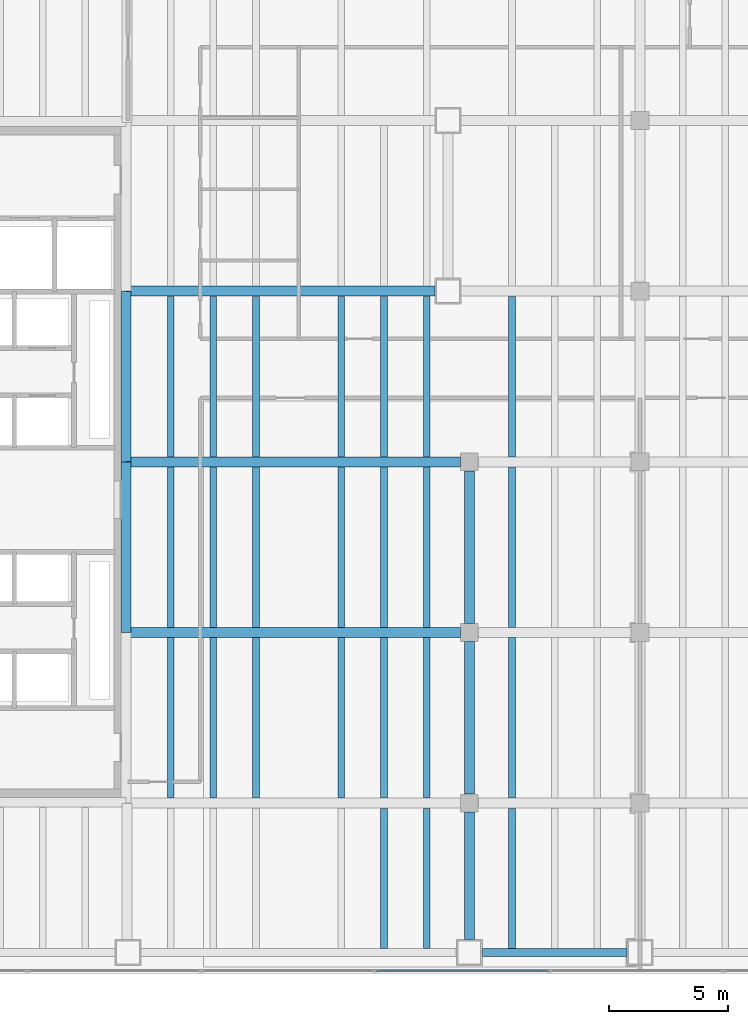
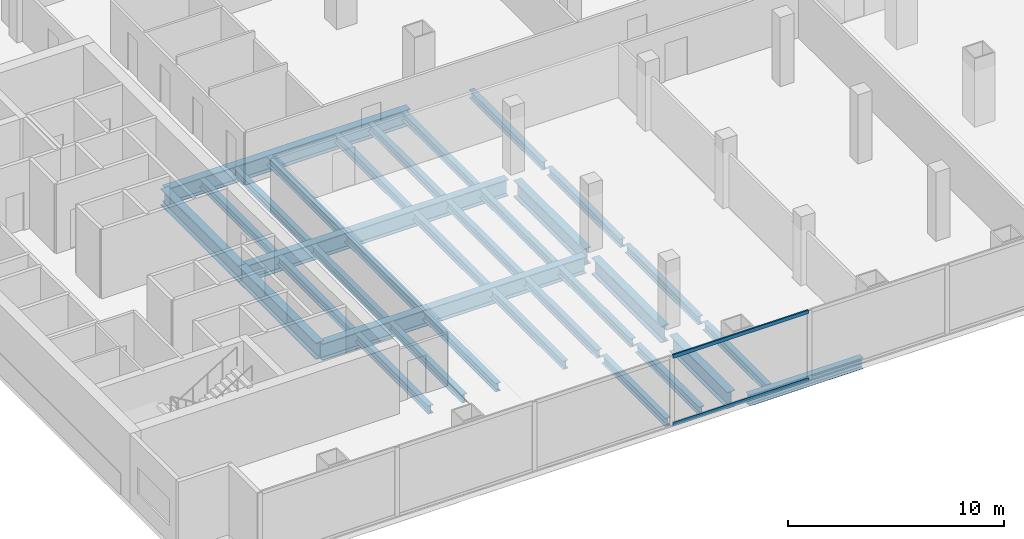
# One storey, part 4 of 32: 33 beams, 2 members, 1 element without a shape of its own.
"""IFC4 building model written with IfcOpenShell, lengths in metres."""

from ifc_helpers import new_model, si_unit, direction, frame, origin, origin_2d, place, context, subcontext, project, spatial, hollow_rectangle, i_section, extrude, material, material_profile, profile_set, type_object, element, aggregate, save


model = new_model("IFC4")

# Units and contexts
model_context = context("Model", 3, precision=1e-05, world=origin(), true_north=direction((0.0, 1.0)))
body_context = subcontext(model_context, "Body", "Model", "MODEL_VIEW")
ifc_project = project(units=[si_unit("LENGTHUNIT", "METRE"), si_unit("AREAUNIT", "SQUARE_METRE"), si_unit("VOLUMEUNIT", "CUBIC_METRE"), si_unit("PLANEANGLEUNIT", "RADIAN"), si_unit("MASSUNIT", "GRAM", prefix="KILO")], contexts=[model_context])

# Site, building, storey
site_placement = place(None, origin())
site = spatial("IfcSite", under=ifc_project, at=site_placement, CompositionType="ELEMENT")
building_placement = place(site_placement, origin())
building = spatial("IfcBuilding", under=site, at=building_placement, Name="Cobrela Telecom Tower", CompositionType="ELEMENT")
storey_placement = place(building_placement, frame((0.0, 0.0, 22.050048828125)))
storey = spatial("IfcBuildingStorey", under=building, at=storey_placement, Name="L05", CompositionType="ELEMENT", Elevation=22.050048828125)

# Beams
ifc_material_1 = material(Name="Steel ASTM A992 Grade 50", Category="steel")
ifc_material_profile_1 = material_profile(ifc_material_1, i_section(OverallWidth=0.4189453125, OverallDepth=0.927001953125, WebThickness=0.019287109375, FlangeThickness=0.031982421875, FilletRadius=0.02392578125, at=origin_2d()), Name="W36X231")
ifc_profile_set_1 = profile_set([ifc_material_profile_1], Name="Steel ASTM A992 Grade 50")
beam_type_1 = type_object("IfcBeamType", Name="BM-GIRD-02", PredefinedType="USERDEFINED", material=ifc_profile_set_1)
for number, where, z_axis, x_axis, name in (
    (1, (14.324951171875, 14.39990234375, -0.753662109375), (1.0, 0.0, 0.0), (0.0, 1.0, 0.0), "L05 Primary Girder X20"),
    (2, (14.324951171875, 21.60009765625, -0.753662109375), (1.0, 0.0, 0.0), (0.0, 1.0, 0.0), "L05 Primary Girder X29"),
):
    element("IfcBeam", number, at=place(storey_placement, frame(where, z_axis=z_axis, x_axis=x_axis)), inside=storey, type_object=beam_type_1, Name=name, ObjectType="GIRDER", PredefinedType="USERDEFINED", context=body_context, shape_type="SweptSolid", body=[
        extrude(i_section(OverallWidth=0.4189453125, OverallDepth=0.927001953125, WebThickness=0.019287109375, FlangeThickness=0.031982421875, FilletRadius=0.02392578125, at=origin_2d()), origin(), (0.0, 0.0, 1.0), 14.094970703125),
    ])
beam_1_placement = place(storey_placement, frame((14.324951171875, 28.800048828125, -0.753662109375), z_axis=(1.0, 0.0, 0.0), x_axis=(0.0, 1.0, 0.0)))
element("IfcBeam", 3, at=beam_1_placement, inside=storey, type_object=beam_type_1, Name="L05 Primary Girder X38", ObjectType="GIRDER", PredefinedType="USERDEFINED", context=body_context, shape_type="SweptSolid", body=[
    extrude(i_section(OverallWidth=0.4189453125, OverallDepth=0.927001953125, WebThickness=0.019287109375, FlangeThickness=0.031982421875, FilletRadius=0.02392578125, at=origin_2d()), origin(), (0.0, 0.0, 1.0), 13.02001953125),
])
for number, where, z_axis, x_axis, name in (
    (4, (14.320068359375, 14.405029296875, -0.753662109375), (0.0, 1.0, 0.0), (-1.0, 0.0, 0.0), "L05 Primary Girder Y62"),
    (5, (14.320068359375, 21.60498046875, -0.753662109375), (0.0, 1.0, 0.0), (-1.0, 0.0, 0.0), "L05 Primary Girder Y63"),
):
    element("IfcBeam", number, at=place(storey_placement, frame(where, z_axis=z_axis, x_axis=x_axis)), inside=storey, type_object=beam_type_1, Name=name, ObjectType="GIRDER", PredefinedType="USERDEFINED", context=body_context, shape_type="SweptSolid", body=[
        extrude(i_section(OverallWidth=0.4189453125, OverallDepth=0.927001953125, WebThickness=0.019287109375, FlangeThickness=0.031982421875, FilletRadius=0.02392578125, at=origin_2d()), origin(), (0.0, 0.0, 1.0), 7.18994140625),
    ])
beam_2_placement = place(storey_placement, frame((28.800048828125, 1.455078125, -0.753662109375), z_axis=(0.0, 1.0, 0.0), x_axis=(-1.0, 0.0, 0.0)))
element("IfcBeam", 6, at=beam_2_placement, inside=storey, type_object=beam_type_1, Name="L05 Primary Girder Y68", ObjectType="GIRDER", PredefinedType="USERDEFINED", context=body_context, shape_type="SweptSolid", body=[
    extrude(i_section(OverallWidth=0.4189453125, OverallDepth=0.927001953125, WebThickness=0.019287109375, FlangeThickness=0.031982421875, FilletRadius=0.02392578125, at=origin_2d()), origin(), (0.0, 0.0, 1.0), 5.364990234375),
])
for number, where, z_axis, x_axis, name in (
    (7, (28.800048828125, 7.580078125, -0.753662109375), (0.0, 1.0, 0.0), (-1.0, 0.0, 0.0), "L05 Primary Girder Y69"),
    (8, (28.800048828125, 14.780029296875, -0.753662109375), (0.0, 1.0, 0.0), (-1.0, 0.0, 0.0), "L05 Primary Girder Y70"),
):
    element("IfcBeam", number, at=place(storey_placement, frame(where, z_axis=z_axis, x_axis=x_axis)), inside=storey, type_object=beam_type_1, Name=name, ObjectType="GIRDER", PredefinedType="USERDEFINED", context=body_context, shape_type="SweptSolid", body=[
        extrude(i_section(OverallWidth=0.4189453125, OverallDepth=0.927001953125, WebThickness=0.019287109375, FlangeThickness=0.031982421875, FilletRadius=0.02392578125, at=origin_2d()), origin(), (0.0, 0.0, 1.0), 6.43994140625),
    ])
ifc_material_profile_2 = material_profile(ifc_material_1, i_section(OverallWidth=0.281982421875, OverallDepth=0.467041015625, WebThickness=0.01220703125, FlangeThickness=0.01953125, FilletRadius=0.012939453125, at=origin_2d()), Name="W18X86")
ifc_profile_set_2 = profile_set([ifc_material_profile_2], Name="Steel ASTM A992 Grade 50")
beam_type_2 = type_object("IfcBeamType", Name="BM-JOIST-02", PredefinedType="JOIST", material=ifc_profile_set_2)
for number, where, z_axis, x_axis, name in (
    (9, (16.199951171875, 7.41455078125, -0.5234375), (0.0, 1.0, 0.0), (-1.0, 0.0, 0.0), "L05 Secondary Composite Floor Beam J14"),
    (10, (16.199951171875, 14.614501953125, -0.5234375), (0.0, 1.0, 0.0), (-1.0, 0.0, 0.0), "L05 Secondary Composite Floor Beam J15"),
    (11, (16.199951171875, 21.814453125, -0.5234375), (0.0, 1.0, 0.0), (-1.0, 0.0, 0.0), "L05 Secondary Composite Floor Beam J16"),
    (12, (18.0, 7.41455078125, -0.5234375), (0.0, 1.0, 0.0), (-1.0, 0.0, 0.0), "L05 Secondary Composite Floor Beam J21"),
    (13, (18.0, 14.614501953125, -0.5234375), (0.0, 1.0, 0.0), (-1.0, 0.0, 0.0), "L05 Secondary Composite Floor Beam J22"),
    (14, (18.0, 21.814453125, -0.5234375), (0.0, 1.0, 0.0), (-1.0, 0.0, 0.0), "L05 Secondary Composite Floor Beam J23"),
    (15, (19.800048828125, 7.41455078125, -0.5234375), (0.0, 1.0, 0.0), (-1.0, 0.0, 0.0), "L05 Secondary Composite Floor Beam J28"),
    (16, (19.800048828125, 14.614501953125, -0.5234375), (0.0, 1.0, 0.0), (-1.0, 0.0, 0.0), "L05 Secondary Composite Floor Beam J29"),
    (17, (19.800048828125, 21.814453125, -0.5234375), (0.0, 1.0, 0.0), (-1.0, 0.0, 0.0), "L05 Secondary Composite Floor Beam J30"),
    (18, (23.39990234375, 7.41455078125, -0.5234375), (0.0, 1.0, 0.0), (-1.0, 0.0, 0.0), "L05 Secondary Composite Floor Beam J35"),
    (19, (23.39990234375, 14.614501953125, -0.5234375), (0.0, 1.0, 0.0), (-1.0, 0.0, 0.0), "L05 Secondary Composite Floor Beam J36"),
    (20, (23.39990234375, 21.814453125, -0.5234375), (0.0, 1.0, 0.0), (-1.0, 0.0, 0.0), "L05 Secondary Composite Floor Beam J37"),
):
    element("IfcBeam", number, at=place(storey_placement, frame(where, z_axis=z_axis, x_axis=x_axis)), inside=storey, type_object=beam_type_2, Name=name, PredefinedType="JOIST", context=body_context, shape_type="SweptSolid", body=[
        extrude(i_section(OverallWidth=0.281982421875, OverallDepth=0.467041015625, WebThickness=0.01220703125, FlangeThickness=0.01953125, FilletRadius=0.012939453125, at=origin_2d()), origin(), (0.0, 0.0, 1.0), 6.77099609375),
    ])
beam_3_placement = place(storey_placement, frame((25.199951171875, 1.0673828125, -0.5234375), z_axis=(0.0, 1.0, 0.0), x_axis=(-1.0, 0.0, 0.0)))
element("IfcBeam", 21, at=beam_3_placement, inside=storey, type_object=beam_type_2, Name="L05 Secondary Composite Floor Beam J40", PredefinedType="JOIST", context=body_context, shape_type="SweptSolid", body=[
    extrude(i_section(OverallWidth=0.281982421875, OverallDepth=0.467041015625, WebThickness=0.01220703125, FlangeThickness=0.01953125, FilletRadius=0.012939453125, at=origin_2d()), origin(), (0.0, 0.0, 1.0), 5.918212890625),
])
for number, where, z_axis, x_axis, name in (
    (22, (25.199951171875, 7.41455078125, -0.5234375), (0.0, 1.0, 0.0), (-1.0, 0.0, 0.0), "L05 Secondary Composite Floor Beam J41"),
    (23, (25.199951171875, 14.614501953125, -0.5234375), (0.0, 1.0, 0.0), (-1.0, 0.0, 0.0), "L05 Secondary Composite Floor Beam J42"),
    (24, (25.199951171875, 21.814453125, -0.5234375), (0.0, 1.0, 0.0), (-1.0, 0.0, 0.0), "L05 Secondary Composite Floor Beam J43"),
):
    element("IfcBeam", number, at=place(storey_placement, frame(where, z_axis=z_axis, x_axis=x_axis)), inside=storey, type_object=beam_type_2, Name=name, PredefinedType="JOIST", context=body_context, shape_type="SweptSolid", body=[
        extrude(i_section(OverallWidth=0.281982421875, OverallDepth=0.467041015625, WebThickness=0.01220703125, FlangeThickness=0.01953125, FilletRadius=0.012939453125, at=origin_2d()), origin(), (0.0, 0.0, 1.0), 6.77099609375),
    ])
beam_4_placement = place(storey_placement, frame((27.0, 1.0673828125, -0.5234375), z_axis=(0.0, 1.0, 0.0), x_axis=(-1.0, 0.0, 0.0)))
element("IfcBeam", 25, at=beam_4_placement, inside=storey, type_object=beam_type_2, Name="L05 Secondary Composite Floor Beam J45", PredefinedType="JOIST", context=body_context, shape_type="SweptSolid", body=[
    extrude(i_section(OverallWidth=0.281982421875, OverallDepth=0.467041015625, WebThickness=0.01220703125, FlangeThickness=0.01953125, FilletRadius=0.012939453125, at=origin_2d()), origin(), (0.0, 0.0, 1.0), 5.918212890625),
])
for number, where, z_axis, x_axis, name in (
    (26, (27.0, 7.41455078125, -0.5234375), (0.0, 1.0, 0.0), (-1.0, 0.0, 0.0), "L05 Secondary Composite Floor Beam J46"),
    (27, (27.0, 14.614501953125, -0.5234375), (0.0, 1.0, 0.0), (-1.0, 0.0, 0.0), "L05 Secondary Composite Floor Beam J47"),
    (28, (27.0, 21.814453125, -0.5234375), (0.0, 1.0, 0.0), (-1.0, 0.0, 0.0), "L05 Secondary Composite Floor Beam J48"),
):
    element("IfcBeam", number, at=place(storey_placement, frame(where, z_axis=z_axis, x_axis=x_axis)), inside=storey, type_object=beam_type_2, Name=name, PredefinedType="JOIST", context=body_context, shape_type="SweptSolid", body=[
        extrude(i_section(OverallWidth=0.281982421875, OverallDepth=0.467041015625, WebThickness=0.01220703125, FlangeThickness=0.01953125, FilletRadius=0.012939453125, at=origin_2d()), origin(), (0.0, 0.0, 1.0), 6.77099609375),
    ])
beam_5_placement = place(storey_placement, frame((30.60009765625, 1.0673828125, -0.5234375), z_axis=(0.0, 1.0, 0.0), x_axis=(-1.0, 0.0, 0.0)))
element("IfcBeam", 29, at=beam_5_placement, inside=storey, type_object=beam_type_2, Name="L05 Secondary Composite Floor Beam J51", PredefinedType="JOIST", context=body_context, shape_type="SweptSolid", body=[
    extrude(i_section(OverallWidth=0.281982421875, OverallDepth=0.467041015625, WebThickness=0.01220703125, FlangeThickness=0.01953125, FilletRadius=0.012939453125, at=origin_2d()), origin(), (0.0, 0.0, 1.0), 5.918212890625),
])
for number, where, z_axis, x_axis, name in (
    (30, (30.60009765625, 7.41455078125, -0.5234375), (0.0, 1.0, 0.0), (-1.0, 0.0, 0.0), "L05 Secondary Composite Floor Beam J52"),
    (31, (30.60009765625, 14.614501953125, -0.5234375), (0.0, 1.0, 0.0), (-1.0, 0.0, 0.0), "L05 Secondary Composite Floor Beam J53"),
    (32, (30.60009765625, 21.814453125, -0.5234375), (0.0, 1.0, 0.0), (-1.0, 0.0, 0.0), "L05 Secondary Composite Floor Beam J54"),
):
    element("IfcBeam", number, at=place(storey_placement, frame(where, z_axis=z_axis, x_axis=x_axis)), inside=storey, type_object=beam_type_2, Name=name, PredefinedType="JOIST", context=body_context, shape_type="SweptSolid", body=[
        extrude(i_section(OverallWidth=0.281982421875, OverallDepth=0.467041015625, WebThickness=0.01220703125, FlangeThickness=0.01953125, FilletRadius=0.012939453125, at=origin_2d()), origin(), (0.0, 0.0, 1.0), 6.77099609375),
    ])
ifc_material_profile_3 = material_profile(ifc_material_1, i_section(OverallWidth=0.324951171875, OverallDepth=0.612060546875, WebThickness=0.0126953125, FlangeThickness=0.01904296875, FilletRadius=0.014892578125, at=origin_2d()), Name="W24X104")
ifc_profile_set_3 = profile_set([ifc_material_profile_3], Name="Steel ASTM A992 Grade 50")
beam_type_3 = type_object("IfcBeamType", Name="BM-SPAND-02", PredefinedType="SPANDREL", material=ifc_profile_set_3)
beam_6_placement = place(storey_placement, frame((29.35498046875, 0.89990234375, -0.595947265625), z_axis=(1.0, 0.0, 0.0), x_axis=(0.0, 1.0, 0.0)))
element("IfcBeam", 33, at=beam_6_placement, inside=storey, type_object=beam_type_3, Name="L05 Perimeter Spandrel X03", PredefinedType="SPANDREL", context=body_context, shape_type="SweptSolid", body=[
    extrude(i_section(OverallWidth=0.324951171875, OverallDepth=0.612060546875, WebThickness=0.0126953125, FlangeThickness=0.01904296875, FilletRadius=0.014892578125, at=origin_2d()), origin(), (0.0, 0.0, 1.0), 6.090087890625),
])

# Curtain wall, members
ifc_material_2 = material(Name="Anodized Bronze Aluminium 6063-T6", Category="aluminium")
curtain_wall_type = type_object("IfcCurtainWallType", Name="CW-SYS-CONC", PredefinedType="USERDEFINED", material=ifc_material_2)
curtain_wall_placement = place(storey_placement, origin())
curtain_wall = element("IfcCurtainWall", 34, at=curtain_wall_placement, inside=storey, type_object=curtain_wall_type, Name="L05 Unitised Bronze Curtain Wall 17", ObjectType="UNITISED CURTAIN WALL", PredefinedType="USERDEFINED")
ifc_material_profile_4 = material_profile(ifc_material_2, hollow_rectangle(XDim=0.080078125, YDim=0.199951171875, WallThickness=0.00390625, at=origin_2d()), Name="ALU 80x200x4")
ifc_profile_set_4 = profile_set([ifc_material_profile_4], Name="Anodized Bronze Aluminium 6063-T6")
member_type = type_object("IfcMemberType", Name="CW-SYS-CONC-TRN", PredefinedType="USERDEFINED", material=ifc_profile_set_4)
member_1_placement = place(storey_placement, frame((32.147216796875, 0.1201171875, 0.0400390625), z_axis=(-1.0, 0.0, 0.0), x_axis=(0.0, -1.0, 0.0)))
member_1 = element("IfcMember", 35, at=member_1_placement, type_object=member_type, Name="CW-CONC transom 8.1", ObjectType="TRANSOM", PredefinedType="USERDEFINED", context=body_context, shape_type="SweptSolid", body=[
    extrude(hollow_rectangle(XDim=0.080078125, YDim=0.199951171875, WallThickness=0.00390625, at=origin_2d()), origin(), (0.0, 0.0, 1.0), 7.26171875),
])
member_2_placement = place(storey_placement, frame((32.147216796875, 0.1201171875, 3.85986328125), z_axis=(-1.0, 0.0, 0.0), x_axis=(0.0, -1.0, 0.0)))
member_2 = element("IfcMember", 36, at=member_2_placement, type_object=member_type, Name="CW-CONC transom 8.2", ObjectType="TRANSOM", PredefinedType="USERDEFINED", context=body_context, shape_type="SweptSolid", body=[
    extrude(hollow_rectangle(XDim=0.080078125, YDim=0.199951171875, WallThickness=0.00390625, at=origin_2d()), origin(), (0.0, 0.0, 1.0), 7.26171875),
])
aggregate(curtain_wall, [member_1, member_2])

save(model, "model.ifc")
